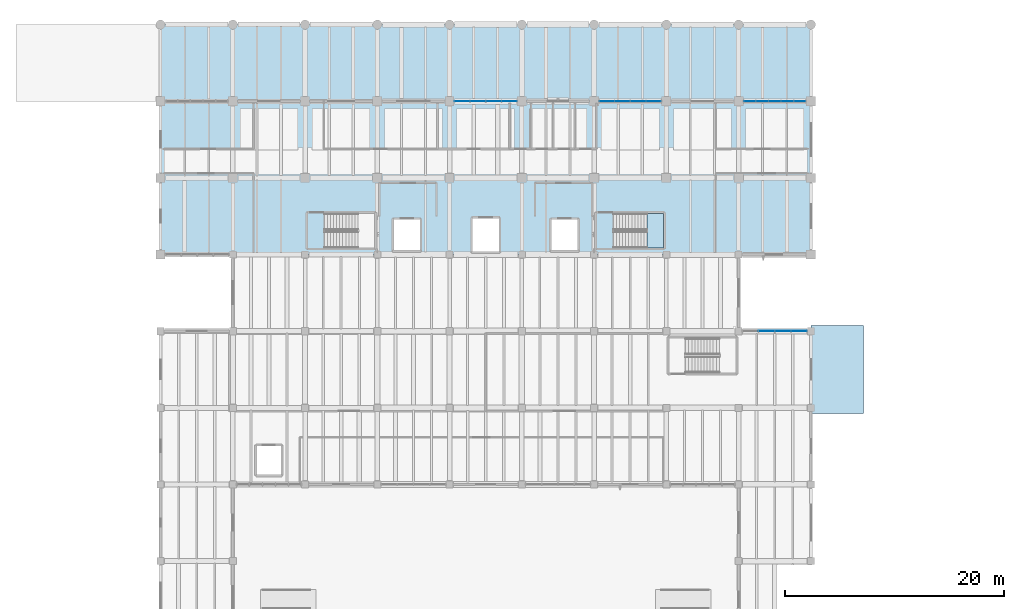
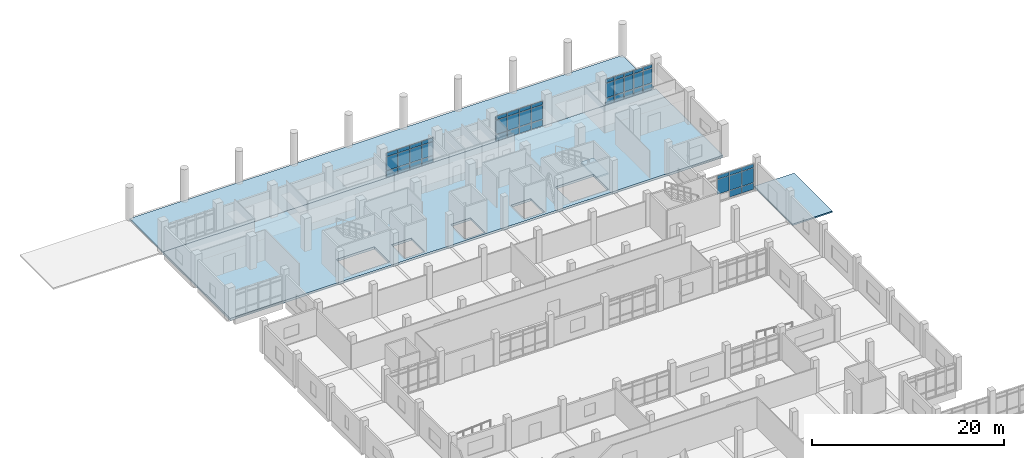
# One storey, part 40 of 69: 47 plates, 4 slabs, 5 elements without a shape of their own.
"""IFC4 building model written with IfcOpenShell, lengths in metres."""

from ifc_helpers import new_model, si_unit, direction, frame, origin, origin_2d, place, context, subcontext, project, spatial, polyline, rectangle, outline, extrude, material, layer, layer_set, type_object, element, aggregate, save


model = new_model("IFC4")

# Units and contexts
model_context = context("Model", 3, precision=1e-05, world=origin(), true_north=direction((0.0, 1.0)))
body_context = subcontext(model_context, "Body", "Model", "MODEL_VIEW")
ifc_project = project(units=[si_unit("LENGTHUNIT", "METRE"), si_unit("AREAUNIT", "SQUARE_METRE"), si_unit("VOLUMEUNIT", "CUBIC_METRE"), si_unit("PLANEANGLEUNIT", "RADIAN"), si_unit("MASSUNIT", "GRAM", prefix="KILO")], contexts=[model_context])

# Site, building, storey
site_placement = place(None, origin())
site = spatial("IfcSite", under=ifc_project, at=site_placement, CompositionType="ELEMENT")
building_placement = place(site_placement, origin())
building = spatial("IfcBuilding", under=site, at=building_placement, Name="Ciguamira Faculty of Natural Sciences", CompositionType="ELEMENT")
storey_placement = place(building_placement, origin())
storey = spatial("IfcBuildingStorey", under=building, at=storey_placement, Name="L00", CompositionType="ELEMENT", Elevation=0.0)

# Curtain wall, plates
ifc_material_1 = material(Name="Anodized aluminium curtain wall", Category="aluminium")
curtain_wall_type_1 = type_object("IfcCurtainWallType", Name="CurtainWall_CW-07", PredefinedType="USERDEFINED", material=ifc_material_1)
curtain_wall_1_placement = place(storey_placement, origin())
curtain_wall_1 = element("IfcCurtainWall", 1, at=curtain_wall_1_placement, inside=storey, type_object=curtain_wall_type_1, Name="L00 unitised curtain wall 0019", ObjectType="UNITISED CURTAIN WALL", PredefinedType="USERDEFINED")
ifc_material_2 = material(Name="Low-E laminated solar glass", Category="glass")
ifc_layer_1 = layer(ifc_material_2, 0.028076171875, Name="Low-E laminated solar glass")
ifc_layer_set_1 = layer_set([ifc_layer_1], Name="Low-E laminated solar glass")
plate_type_1 = type_object("IfcPlateType", Name="CWPanel_CWP-01", PredefinedType="CURTAIN_PANEL", material=ifc_layer_set_1)
plate_1_placement = place(storey_placement, frame((84.858642578125, 108.0, 0.06005859375), z_axis=(0.0, 0.0, 1.0), x_axis=(1.0, 0.0, 0.0)))
plate_1 = element("IfcPlate", 2, at=plate_1_placement, type_object=plate_type_1, Name="CW-07 panel 1.1", PredefinedType="CURTAIN_PANEL", context=body_context, shape_type="SweptSolid", body=[
    extrude(rectangle(XDim=1.347412109375, YDim=0.028076171875, at=origin_2d()), origin(), (0.0, 0.0, 1.0), 0.81005859375),
])
plate_2_placement = place(storey_placement, frame((84.858642578125, 108.0, 0.929931640625), z_axis=(0.0, 0.0, 1.0), x_axis=(1.0, 0.0, 0.0)))
plate_2 = element("IfcPlate", 3, at=plate_2_placement, type_object=plate_type_1, Name="CW-07 panel 1.2", PredefinedType="CURTAIN_PANEL", context=body_context, shape_type="SweptSolid", body=[
    extrude(rectangle(XDim=1.347412109375, YDim=0.028076171875, at=origin_2d()), origin(), (0.0, 0.0, 1.0), 1.72509765625),
])
plate_3_placement = place(storey_placement, frame((84.858642578125, 108.0, 2.715087890625), z_axis=(0.0, 0.0, 1.0), x_axis=(1.0, 0.0, 0.0)))
plate_3 = element("IfcPlate", 4, at=plate_3_placement, type_object=plate_type_1, Name="CW-07 panel 1.3", PredefinedType="CURTAIN_PANEL", context=body_context, shape_type="SweptSolid", body=[
    extrude(rectangle(XDim=1.347412109375, YDim=0.028076171875, at=origin_2d()), origin(), (0.0, 0.0, 1.0), 0.4599609375),
])
plate_4_placement = place(storey_placement, frame((86.28125, 108.0, 0.06005859375), z_axis=(0.0, 0.0, 1.0), x_axis=(1.0, 0.0, 0.0)))
plate_4 = element("IfcPlate", 5, at=plate_4_placement, type_object=plate_type_1, Name="CW-07 panel 2.1", PredefinedType="CURTAIN_PANEL", context=body_context, shape_type="SweptSolid", body=[
    extrude(rectangle(XDim=1.37744140625, YDim=0.028076171875, at=origin_2d()), origin(), (0.0, 0.0, 1.0), 0.81005859375),
])
plate_5_placement = place(storey_placement, frame((86.28125, 108.0, 0.929931640625), z_axis=(0.0, 0.0, 1.0), x_axis=(1.0, 0.0, 0.0)))
plate_5 = element("IfcPlate", 6, at=plate_5_placement, type_object=plate_type_1, Name="CW-07 panel 2.2", PredefinedType="CURTAIN_PANEL", context=body_context, shape_type="SweptSolid", body=[
    extrude(rectangle(XDim=1.37744140625, YDim=0.028076171875, at=origin_2d()), origin(), (0.0, 0.0, 1.0), 1.72509765625),
])
plate_6_placement = place(storey_placement, frame((86.28125, 108.0, 2.715087890625), z_axis=(0.0, 0.0, 1.0), x_axis=(1.0, 0.0, 0.0)))
plate_6 = element("IfcPlate", 7, at=plate_6_placement, type_object=plate_type_1, Name="CW-07 panel 2.3", PredefinedType="CURTAIN_PANEL", context=body_context, shape_type="SweptSolid", body=[
    extrude(rectangle(XDim=1.37744140625, YDim=0.028076171875, at=origin_2d()), origin(), (0.0, 0.0, 1.0), 0.4599609375),
])
plate_7_placement = place(storey_placement, frame((87.71875, 108.0, 0.06005859375), z_axis=(0.0, 0.0, 1.0), x_axis=(1.0, 0.0, 0.0)))
plate_7 = element("IfcPlate", 8, at=plate_7_placement, type_object=plate_type_1, Name="CW-07 panel 3.1", PredefinedType="CURTAIN_PANEL", context=body_context, shape_type="SweptSolid", body=[
    extrude(rectangle(XDim=1.37744140625, YDim=0.028076171875, at=origin_2d()), origin(), (0.0, 0.0, 1.0), 0.81005859375),
])
plate_8_placement = place(storey_placement, frame((87.71875, 108.0, 0.929931640625), z_axis=(0.0, 0.0, 1.0), x_axis=(1.0, 0.0, 0.0)))
plate_8 = element("IfcPlate", 9, at=plate_8_placement, type_object=plate_type_1, Name="CW-07 panel 3.2", PredefinedType="CURTAIN_PANEL", context=body_context, shape_type="SweptSolid", body=[
    extrude(rectangle(XDim=1.37744140625, YDim=0.028076171875, at=origin_2d()), origin(), (0.0, 0.0, 1.0), 1.72509765625),
])
plate_9_placement = place(storey_placement, frame((87.71875, 108.0, 2.715087890625), z_axis=(0.0, 0.0, 1.0), x_axis=(1.0, 0.0, 0.0)))
plate_9 = element("IfcPlate", 10, at=plate_9_placement, type_object=plate_type_1, Name="CW-07 panel 3.3", PredefinedType="CURTAIN_PANEL", context=body_context, shape_type="SweptSolid", body=[
    extrude(rectangle(XDim=1.37744140625, YDim=0.028076171875, at=origin_2d()), origin(), (0.0, 0.0, 1.0), 0.4599609375),
])
plate_10_placement = place(storey_placement, frame((89.141357421875, 108.0, 0.06005859375), z_axis=(0.0, 0.0, 1.0), x_axis=(1.0, 0.0, 0.0)))
plate_10 = element("IfcPlate", 11, at=plate_10_placement, type_object=plate_type_1, Name="CW-07 panel 4.1", PredefinedType="CURTAIN_PANEL", context=body_context, shape_type="SweptSolid", body=[
    extrude(rectangle(XDim=1.347412109375, YDim=0.028076171875, at=origin_2d()), origin(), (0.0, 0.0, 1.0), 0.81005859375),
])
plate_11_placement = place(storey_placement, frame((89.141357421875, 108.0, 0.929931640625), z_axis=(0.0, 0.0, 1.0), x_axis=(1.0, 0.0, 0.0)))
plate_11 = element("IfcPlate", 12, at=plate_11_placement, type_object=plate_type_1, Name="CW-07 panel 4.2", PredefinedType="CURTAIN_PANEL", context=body_context, shape_type="SweptSolid", body=[
    extrude(rectangle(XDim=1.347412109375, YDim=0.028076171875, at=origin_2d()), origin(), (0.0, 0.0, 1.0), 1.72509765625),
])
plate_12_placement = place(storey_placement, frame((89.141357421875, 108.0, 2.715087890625), z_axis=(0.0, 0.0, 1.0), x_axis=(1.0, 0.0, 0.0)))
plate_12 = element("IfcPlate", 13, at=plate_12_placement, type_object=plate_type_1, Name="CW-07 panel 4.3", PredefinedType="CURTAIN_PANEL", context=body_context, shape_type="SweptSolid", body=[
    extrude(rectangle(XDim=1.347412109375, YDim=0.028076171875, at=origin_2d()), origin(), (0.0, 0.0, 1.0), 0.4599609375),
])
aggregate(curtain_wall_1, [plate_1, plate_2, plate_3, plate_4, plate_5, plate_6, plate_7, plate_8, plate_9, plate_10, plate_11, plate_12])

curtain_wall_type_2 = type_object("IfcCurtainWallType", Name="CurtainWall_CW-09", PredefinedType="USERDEFINED", material=ifc_material_1)
curtain_wall_2_placement = place(storey_placement, origin())
curtain_wall_2 = element("IfcCurtainWall", 14, at=curtain_wall_2_placement, inside=storey, type_object=curtain_wall_type_2, Name="L00 unitised curtain wall 0021", ObjectType="UNITISED CURTAIN WALL", PredefinedType="USERDEFINED")
plate_13_placement = place(storey_placement, frame((111.1201171875, 108.0, 0.080078125), z_axis=(0.0, 0.0, 1.0), x_axis=(1.0, 0.0, 0.0)))
plate_13 = element("IfcPlate", 15, at=plate_13_placement, type_object=plate_type_1, Name="CW-09 panel 1.1", PredefinedType="CURTAIN_PANEL", context=body_context, shape_type="SweptSolid", body=[
    extrude(rectangle(XDim=1.030029296875, YDim=0.028076171875, at=origin_2d()), origin(), (0.0, 0.0, 1.0), 0.780029296875),
])
plate_14_placement = place(storey_placement, frame((111.1201171875, 108.0, 0.93994140625), z_axis=(0.0, 0.0, 1.0), x_axis=(1.0, 0.0, 0.0)))
plate_14 = element("IfcPlate", 16, at=plate_14_placement, type_object=plate_type_1, Name="CW-09 panel 1.2", PredefinedType="CURTAIN_PANEL", context=body_context, shape_type="SweptSolid", body=[
    extrude(rectangle(XDim=1.030029296875, YDim=0.028076171875, at=origin_2d()), origin(), (0.0, 0.0, 1.0), 1.8349609375),
])
plate_15_placement = place(storey_placement, frame((111.1201171875, 108.0, 2.85498046875), z_axis=(0.0, 0.0, 1.0), x_axis=(1.0, 0.0, 0.0)))
plate_15 = element("IfcPlate", 17, at=plate_15_placement, type_object=plate_type_1, Name="CW-09 panel 1.3", PredefinedType="CURTAIN_PANEL", context=body_context, shape_type="SweptSolid", body=[
    extrude(rectangle(XDim=1.030029296875, YDim=0.028076171875, at=origin_2d()), origin(), (0.0, 0.0, 1.0), 0.429931640625),
])
plate_16_placement = place(storey_placement, frame((112.25, 108.0, 0.080078125), z_axis=(0.0, 0.0, 1.0), x_axis=(1.0, 0.0, 0.0)))
plate_16 = element("IfcPlate", 18, at=plate_16_placement, type_object=plate_type_1, Name="CW-09 panel 2.1", PredefinedType="CURTAIN_PANEL", context=body_context, shape_type="SweptSolid", body=[
    extrude(rectangle(XDim=1.070068359375, YDim=0.028076171875, at=origin_2d()), origin(), (0.0, 0.0, 1.0), 0.780029296875),
])
plate_17_placement = place(storey_placement, frame((112.25, 108.0, 0.93994140625), z_axis=(0.0, 0.0, 1.0), x_axis=(1.0, 0.0, 0.0)))
plate_17 = element("IfcPlate", 19, at=plate_17_placement, type_object=plate_type_1, Name="CW-09 panel 2.2", PredefinedType="CURTAIN_PANEL", context=body_context, shape_type="SweptSolid", body=[
    extrude(rectangle(XDim=1.070068359375, YDim=0.028076171875, at=origin_2d()), origin(), (0.0, 0.0, 1.0), 1.8349609375),
])
plate_18_placement = place(storey_placement, frame((112.25, 108.0, 2.85498046875), z_axis=(0.0, 0.0, 1.0), x_axis=(1.0, 0.0, 0.0)))
plate_18 = element("IfcPlate", 20, at=plate_18_placement, type_object=plate_type_1, Name="CW-09 panel 2.3", PredefinedType="CURTAIN_PANEL", context=body_context, shape_type="SweptSolid", body=[
    extrude(rectangle(XDim=1.070068359375, YDim=0.028076171875, at=origin_2d()), origin(), (0.0, 0.0, 1.0), 0.429931640625),
])
plate_19_placement = place(storey_placement, frame((113.39990234375, 108.0, 0.080078125), z_axis=(0.0, 0.0, 1.0), x_axis=(1.0, 0.0, 0.0)))
plate_19 = element("IfcPlate", 21, at=plate_19_placement, type_object=plate_type_1, Name="CW-09 panel 3.1", PredefinedType="CURTAIN_PANEL", context=body_context, shape_type="SweptSolid", body=[
    extrude(rectangle(XDim=1.070068359375, YDim=0.028076171875, at=origin_2d()), origin(), (0.0, 0.0, 1.0), 0.780029296875),
])
plate_20_placement = place(storey_placement, frame((113.39990234375, 108.0, 0.93994140625), z_axis=(0.0, 0.0, 1.0), x_axis=(1.0, 0.0, 0.0)))
plate_20 = element("IfcPlate", 22, at=plate_20_placement, type_object=plate_type_1, Name="CW-09 panel 3.2", PredefinedType="CURTAIN_PANEL", context=body_context, shape_type="SweptSolid", body=[
    extrude(rectangle(XDim=1.070068359375, YDim=0.028076171875, at=origin_2d()), origin(), (0.0, 0.0, 1.0), 1.8349609375),
])
plate_21_placement = place(storey_placement, frame((113.39990234375, 108.0, 2.85498046875), z_axis=(0.0, 0.0, 1.0), x_axis=(1.0, 0.0, 0.0)))
plate_21 = element("IfcPlate", 23, at=plate_21_placement, type_object=plate_type_1, Name="CW-09 panel 3.3", PredefinedType="CURTAIN_PANEL", context=body_context, shape_type="SweptSolid", body=[
    extrude(rectangle(XDim=1.070068359375, YDim=0.028076171875, at=origin_2d()), origin(), (0.0, 0.0, 1.0), 0.429931640625),
])
plate_22_placement = place(storey_placement, frame((114.550048828125, 108.0, 0.080078125), z_axis=(0.0, 0.0, 1.0), x_axis=(1.0, 0.0, 0.0)))
plate_22 = element("IfcPlate", 24, at=plate_22_placement, type_object=plate_type_1, Name="CW-09 panel 4.1", PredefinedType="CURTAIN_PANEL", context=body_context, shape_type="SweptSolid", body=[
    extrude(rectangle(XDim=1.070068359375, YDim=0.028076171875, at=origin_2d()), origin(), (0.0, 0.0, 1.0), 0.780029296875),
])
plate_23_placement = place(storey_placement, frame((114.550048828125, 108.0, 0.93994140625), z_axis=(0.0, 0.0, 1.0), x_axis=(1.0, 0.0, 0.0)))
plate_23 = element("IfcPlate", 25, at=plate_23_placement, type_object=plate_type_1, Name="CW-09 panel 4.2", PredefinedType="CURTAIN_PANEL", context=body_context, shape_type="SweptSolid", body=[
    extrude(rectangle(XDim=1.070068359375, YDim=0.028076171875, at=origin_2d()), origin(), (0.0, 0.0, 1.0), 1.8349609375),
])
plate_24_placement = place(storey_placement, frame((114.550048828125, 108.0, 2.85498046875), z_axis=(0.0, 0.0, 1.0), x_axis=(1.0, 0.0, 0.0)))
plate_24 = element("IfcPlate", 26, at=plate_24_placement, type_object=plate_type_1, Name="CW-09 panel 4.3", PredefinedType="CURTAIN_PANEL", context=body_context, shape_type="SweptSolid", body=[
    extrude(rectangle(XDim=1.070068359375, YDim=0.028076171875, at=origin_2d()), origin(), (0.0, 0.0, 1.0), 0.429931640625),
])
plate_25_placement = place(storey_placement, frame((115.679931640625, 108.0, 0.080078125), z_axis=(0.0, 0.0, 1.0), x_axis=(1.0, 0.0, 0.0)))
plate_25 = element("IfcPlate", 27, at=plate_25_placement, type_object=plate_type_1, Name="CW-09 panel 5.1", PredefinedType="CURTAIN_PANEL", context=body_context, shape_type="SweptSolid", body=[
    extrude(rectangle(XDim=1.030029296875, YDim=0.028076171875, at=origin_2d()), origin(), (0.0, 0.0, 1.0), 0.780029296875),
])
plate_26_placement = place(storey_placement, frame((115.679931640625, 108.0, 0.93994140625), z_axis=(0.0, 0.0, 1.0), x_axis=(1.0, 0.0, 0.0)))
plate_26 = element("IfcPlate", 28, at=plate_26_placement, type_object=plate_type_1, Name="CW-09 panel 5.2", PredefinedType="CURTAIN_PANEL", context=body_context, shape_type="SweptSolid", body=[
    extrude(rectangle(XDim=1.030029296875, YDim=0.028076171875, at=origin_2d()), origin(), (0.0, 0.0, 1.0), 1.8349609375),
])
plate_27_placement = place(storey_placement, frame((115.679931640625, 108.0, 2.85498046875), z_axis=(0.0, 0.0, 1.0), x_axis=(1.0, 0.0, 0.0)))
plate_27 = element("IfcPlate", 29, at=plate_27_placement, type_object=plate_type_1, Name="CW-09 panel 5.3", PredefinedType="CURTAIN_PANEL", context=body_context, shape_type="SweptSolid", body=[
    extrude(rectangle(XDim=1.030029296875, YDim=0.028076171875, at=origin_2d()), origin(), (0.0, 0.0, 1.0), 0.429931640625),
])
aggregate(curtain_wall_2, [plate_13, plate_14, plate_15, plate_16, plate_17, plate_18, plate_19, plate_20, plate_21, plate_22, plate_23, plate_24, plate_25, plate_26, plate_27])

curtain_wall_type_3 = type_object("IfcCurtainWallType", Name="CurtainWall_CW-04", PredefinedType="USERDEFINED", material=ifc_material_1)
curtain_wall_3_placement = place(storey_placement, origin())
curtain_wall_3 = element("IfcCurtainWall", 30, at=curtain_wall_3_placement, inside=storey, type_object=curtain_wall_type_3, Name="L00 unitised curtain wall 0016", ObjectType="UNITISED CURTAIN WALL", PredefinedType="USERDEFINED")
ifc_layer_2 = layer(ifc_material_2, 0.035888671875, Name="Low-E laminated solar glass")
ifc_layer_set_2 = layer_set([ifc_layer_2], Name="Low-E laminated solar glass")
plate_type_2 = type_object("IfcPlateType", Name="CWPanel_CWP-02", PredefinedType="CURTAIN_PANEL", material=ifc_layer_set_2)
plate_28_placement = place(storey_placement, frame((112.65625, 87.0, 0.929931640625), z_axis=(0.0, 0.0, 1.0), x_axis=(1.0, 0.0, 0.0)))
plate_28 = element("IfcPlate", 31, at=plate_28_placement, type_object=plate_type_2, Name="CW-04 panel 2.2", PredefinedType="CURTAIN_PANEL", context=body_context, shape_type="SweptSolid", body=[
    extrude(rectangle(XDim=1.427490234375, YDim=0.035888671875, at=origin_2d()), origin(), (0.0, 0.0, 1.0), 1.85498046875),
])
plate_29_placement = place(storey_placement, frame((112.65625, 87.0, 2.844970703125), z_axis=(0.0, 0.0, 1.0), x_axis=(1.0, 0.0, 0.0)))
plate_29 = element("IfcPlate", 32, at=plate_29_placement, type_object=plate_type_2, Name="CW-04 panel 2.3", PredefinedType="CURTAIN_PANEL", context=body_context, shape_type="SweptSolid", body=[
    extrude(rectangle(XDim=1.427490234375, YDim=0.035888671875, at=origin_2d()), origin(), (0.0, 0.0, 1.0), 0.4599609375),
])
plate_30_placement = place(storey_placement, frame((114.143798828125, 87.0, 0.06005859375), z_axis=(0.0, 0.0, 1.0), x_axis=(1.0, 0.0, 0.0)))
plate_30 = element("IfcPlate", 33, at=plate_30_placement, type_object=plate_type_2, Name="CW-04 panel 3.1", PredefinedType="CURTAIN_PANEL", context=body_context, shape_type="SweptSolid", body=[
    extrude(rectangle(XDim=1.427490234375, YDim=0.035888671875, at=origin_2d()), origin(), (0.0, 0.0, 1.0), 0.81005859375),
])
plate_31_placement = place(storey_placement, frame((114.143798828125, 87.0, 0.929931640625), z_axis=(0.0, 0.0, 1.0), x_axis=(1.0, 0.0, 0.0)))
plate_31 = element("IfcPlate", 34, at=plate_31_placement, type_object=plate_type_2, Name="CW-04 panel 3.2", PredefinedType="CURTAIN_PANEL", context=body_context, shape_type="SweptSolid", body=[
    extrude(rectangle(XDim=1.427490234375, YDim=0.035888671875, at=origin_2d()), origin(), (0.0, 0.0, 1.0), 1.85498046875),
])
plate_32_placement = place(storey_placement, frame((114.143798828125, 87.0, 2.844970703125), z_axis=(0.0, 0.0, 1.0), x_axis=(1.0, 0.0, 0.0)))
plate_32 = element("IfcPlate", 35, at=plate_32_placement, type_object=plate_type_2, Name="CW-04 panel 3.3", PredefinedType="CURTAIN_PANEL", context=body_context, shape_type="SweptSolid", body=[
    extrude(rectangle(XDim=1.427490234375, YDim=0.035888671875, at=origin_2d()), origin(), (0.0, 0.0, 1.0), 0.4599609375),
])
plate_33_placement = place(storey_placement, frame((115.6162109375, 87.0, 0.06005859375), z_axis=(0.0, 0.0, 1.0), x_axis=(1.0, 0.0, 0.0)))
plate_33 = element("IfcPlate", 36, at=plate_33_placement, type_object=plate_type_2, Name="CW-04 panel 4.1", PredefinedType="CURTAIN_PANEL", context=body_context, shape_type="SweptSolid", body=[
    extrude(rectangle(XDim=1.3974609375, YDim=0.035888671875, at=origin_2d()), origin(), (0.0, 0.0, 1.0), 0.81005859375),
])
plate_34_placement = place(storey_placement, frame((115.6162109375, 87.0, 0.929931640625), z_axis=(0.0, 0.0, 1.0), x_axis=(1.0, 0.0, 0.0)))
plate_34 = element("IfcPlate", 37, at=plate_34_placement, type_object=plate_type_2, Name="CW-04 panel 4.2", PredefinedType="CURTAIN_PANEL", context=body_context, shape_type="SweptSolid", body=[
    extrude(rectangle(XDim=1.3974609375, YDim=0.035888671875, at=origin_2d()), origin(), (0.0, 0.0, 1.0), 1.85498046875),
])
plate_35_placement = place(storey_placement, frame((115.6162109375, 87.0, 2.844970703125), z_axis=(0.0, 0.0, 1.0), x_axis=(1.0, 0.0, 0.0)))
plate_35 = element("IfcPlate", 38, at=plate_35_placement, type_object=plate_type_2, Name="CW-04 panel 4.3", PredefinedType="CURTAIN_PANEL", context=body_context, shape_type="SweptSolid", body=[
    extrude(rectangle(XDim=1.3974609375, YDim=0.035888671875, at=origin_2d()), origin(), (0.0, 0.0, 1.0), 0.4599609375),
])
aggregate(curtain_wall_3, [plate_28, plate_29, plate_30, plate_31, plate_32, plate_33, plate_34, plate_35])

curtain_wall_type_4 = type_object("IfcCurtainWallType", Name="CurtainWall_CW-08", PredefinedType="USERDEFINED", material=ifc_material_1)
curtain_wall_4_placement = place(storey_placement, origin())
curtain_wall_4 = element("IfcCurtainWall", 39, at=curtain_wall_4_placement, inside=storey, type_object=curtain_wall_type_4, Name="L00 unitised curtain wall 0020", ObjectType="UNITISED CURTAIN WALL", PredefinedType="USERDEFINED")
plate_36_placement = place(storey_placement, frame((98.061279296875, 108.0, 0.070068359375), z_axis=(0.0, 0.0, 1.0), x_axis=(1.0, 0.0, 0.0)))
plate_36 = element("IfcPlate", 40, at=plate_36_placement, type_object=plate_type_2, Name="CW-08 panel 1.1", PredefinedType="CURTAIN_PANEL", context=body_context, shape_type="SweptSolid", body=[
    extrude(rectangle(XDim=1.33251953125, YDim=0.035888671875, at=origin_2d()), origin(), (0.0, 0.0, 1.0), 0.794921875),
])
plate_37_placement = place(storey_placement, frame((98.061279296875, 108.0, 0.93505859375), z_axis=(0.0, 0.0, 1.0), x_axis=(1.0, 0.0, 0.0)))
plate_37 = element("IfcPlate", 41, at=plate_37_placement, type_object=plate_type_2, Name="CW-08 panel 1.2", PredefinedType="CURTAIN_PANEL", context=body_context, shape_type="SweptSolid", body=[
    extrude(rectangle(XDim=1.33251953125, YDim=0.035888671875, at=origin_2d()), origin(), (0.0, 0.0, 1.0), 1.764892578125),
])
plate_38_placement = place(storey_placement, frame((98.061279296875, 108.0, 2.77001953125), z_axis=(0.0, 0.0, 1.0), x_axis=(1.0, 0.0, 0.0)))
plate_38 = element("IfcPlate", 42, at=plate_38_placement, type_object=plate_type_2, Name="CW-08 panel 1.3", PredefinedType="CURTAIN_PANEL", context=body_context, shape_type="SweptSolid", body=[
    extrude(rectangle(XDim=1.33251953125, YDim=0.035888671875, at=origin_2d()), origin(), (0.0, 0.0, 1.0), 0.445068359375),
])
plate_39_placement = place(storey_placement, frame((99.481201171875, 108.0, 0.070068359375), z_axis=(0.0, 0.0, 1.0), x_axis=(1.0, 0.0, 0.0)))
plate_39 = element("IfcPlate", 43, at=plate_39_placement, type_object=plate_type_2, Name="CW-08 panel 2.1", PredefinedType="CURTAIN_PANEL", context=body_context, shape_type="SweptSolid", body=[
    extrude(rectangle(XDim=1.367431640625, YDim=0.035888671875, at=origin_2d()), origin(), (0.0, 0.0, 1.0), 0.794921875),
])
plate_40_placement = place(storey_placement, frame((99.481201171875, 108.0, 0.93505859375), z_axis=(0.0, 0.0, 1.0), x_axis=(1.0, 0.0, 0.0)))
plate_40 = element("IfcPlate", 44, at=plate_40_placement, type_object=plate_type_2, Name="CW-08 panel 2.2", PredefinedType="CURTAIN_PANEL", context=body_context, shape_type="SweptSolid", body=[
    extrude(rectangle(XDim=1.367431640625, YDim=0.035888671875, at=origin_2d()), origin(), (0.0, 0.0, 1.0), 1.764892578125),
])
plate_41_placement = place(storey_placement, frame((99.481201171875, 108.0, 2.77001953125), z_axis=(0.0, 0.0, 1.0), x_axis=(1.0, 0.0, 0.0)))
plate_41 = element("IfcPlate", 45, at=plate_41_placement, type_object=plate_type_2, Name="CW-08 panel 2.3", PredefinedType="CURTAIN_PANEL", context=body_context, shape_type="SweptSolid", body=[
    extrude(rectangle(XDim=1.367431640625, YDim=0.035888671875, at=origin_2d()), origin(), (0.0, 0.0, 1.0), 0.445068359375),
])
plate_42_placement = place(storey_placement, frame((100.918701171875, 108.0, 0.070068359375), z_axis=(0.0, 0.0, 1.0), x_axis=(1.0, 0.0, 0.0)))
plate_42 = element("IfcPlate", 46, at=plate_42_placement, type_object=plate_type_2, Name="CW-08 panel 3.1", PredefinedType="CURTAIN_PANEL", context=body_context, shape_type="SweptSolid", body=[
    extrude(rectangle(XDim=1.367431640625, YDim=0.035888671875, at=origin_2d()), origin(), (0.0, 0.0, 1.0), 0.794921875),
])
plate_43_placement = place(storey_placement, frame((100.918701171875, 108.0, 0.93505859375), z_axis=(0.0, 0.0, 1.0), x_axis=(1.0, 0.0, 0.0)))
plate_43 = element("IfcPlate", 47, at=plate_43_placement, type_object=plate_type_2, Name="CW-08 panel 3.2", PredefinedType="CURTAIN_PANEL", context=body_context, shape_type="SweptSolid", body=[
    extrude(rectangle(XDim=1.367431640625, YDim=0.035888671875, at=origin_2d()), origin(), (0.0, 0.0, 1.0), 1.764892578125),
])
plate_44_placement = place(storey_placement, frame((100.918701171875, 108.0, 2.77001953125), z_axis=(0.0, 0.0, 1.0), x_axis=(1.0, 0.0, 0.0)))
plate_44 = element("IfcPlate", 48, at=plate_44_placement, type_object=plate_type_2, Name="CW-08 panel 3.3", PredefinedType="CURTAIN_PANEL", context=body_context, shape_type="SweptSolid", body=[
    extrude(rectangle(XDim=1.367431640625, YDim=0.035888671875, at=origin_2d()), origin(), (0.0, 0.0, 1.0), 0.445068359375),
])
plate_45_placement = place(storey_placement, frame((102.3388671875, 108.0, 0.070068359375), z_axis=(0.0, 0.0, 1.0), x_axis=(1.0, 0.0, 0.0)))
plate_45 = element("IfcPlate", 49, at=plate_45_placement, type_object=plate_type_2, Name="CW-08 panel 4.1", PredefinedType="CURTAIN_PANEL", context=body_context, shape_type="SweptSolid", body=[
    extrude(rectangle(XDim=1.33251953125, YDim=0.035888671875, at=origin_2d()), origin(), (0.0, 0.0, 1.0), 0.794921875),
])
plate_46_placement = place(storey_placement, frame((102.3388671875, 108.0, 0.93505859375), z_axis=(0.0, 0.0, 1.0), x_axis=(1.0, 0.0, 0.0)))
plate_46 = element("IfcPlate", 50, at=plate_46_placement, type_object=plate_type_2, Name="CW-08 panel 4.2", PredefinedType="CURTAIN_PANEL", context=body_context, shape_type="SweptSolid", body=[
    extrude(rectangle(XDim=1.33251953125, YDim=0.035888671875, at=origin_2d()), origin(), (0.0, 0.0, 1.0), 1.764892578125),
])
plate_47_placement = place(storey_placement, frame((102.3388671875, 108.0, 2.77001953125), z_axis=(0.0, 0.0, 1.0), x_axis=(1.0, 0.0, 0.0)))
plate_47 = element("IfcPlate", 51, at=plate_47_placement, type_object=plate_type_2, Name="CW-08 panel 4.3", PredefinedType="CURTAIN_PANEL", context=body_context, shape_type="SweptSolid", body=[
    extrude(rectangle(XDim=1.33251953125, YDim=0.035888671875, at=origin_2d()), origin(), (0.0, 0.0, 1.0), 0.445068359375),
])
aggregate(curtain_wall_4, [plate_36, plate_37, plate_38, plate_39, plate_40, plate_41, plate_42, plate_43, plate_44, plate_45, plate_46, plate_47])

# Slabs
ifc_material_3 = material(Name="Precast concrete C35/45", Category="concrete")
ifc_layer_3 = layer(ifc_material_3, 0.179931640625, Name="Precast concrete C35/45")
ifc_layer_set_3 = layer_set([ifc_layer_3], Name="Precast concrete C35/45")
slab_type_1 = type_object("IfcSlabType", Name="PavingSlab_PV01", PredefinedType="BASESLAB", material=ifc_layer_set_3)
slab_1_placement = place(storey_placement, frame((0.0, 0.0, -0.179931640625)))
element("IfcSlab", 52, at=slab_1_placement, inside=storey, type_object=slab_type_1, Name="Northeast Laboratory Exit Apron", PredefinedType="BASESLAB", context=body_context, shape_type="SweptSolid", body=[
    extrude(outline(polyline([(116.699951171875, 79.5), (121.5, 79.5), (121.5, 87.5), (116.699951171875, 87.5), (116.699951171875, 79.5)])), origin(), (0.0, 0.0, 1.0), 0.179931640625),
])
ifc_material_4 = material(Name="Concrete C40/50", Category="concrete")
ifc_layer_4 = layer(ifc_material_4, 0.300048828125, Name="Concrete C40/50")
ifc_layer_set_4 = layer_set([ifc_layer_4], Name="Concrete C40/50")
slab_type_2 = type_object("IfcSlabType", Name="Slab_SF-02_300", PredefinedType="FLOOR", material=ifc_layer_set_4)
slab_2_placement = place(storey_placement, frame((0.0, 0.0, -0.300048828125)))
element("IfcSlab", 53, at=slab_2_placement, inside=storey, type_object=slab_type_2, Name="L00 V5 structural slab", PredefinedType="FLOOR", context=body_context, shape_type="SweptSolid", body=[
    extrude(outline(polyline([(57.300048828125, 94.0), (116.699951171875, 94.0), (116.699951171875, 108.0), (57.300048828125, 108.0), (57.300048828125, 94.0)]), holes=[polyline([(72.260009765625, 94.60009765625), (76.85009765625, 94.60009765625), (76.85009765625, 97.760009765625), (72.260009765625, 97.760009765625), (72.260009765625, 94.60009765625)]), polyline([(98.659912109375, 94.60009765625), (103.25, 94.60009765625), (103.25, 97.760009765625), (98.659912109375, 97.760009765625), (98.659912109375, 94.60009765625)]), polyline([(78.60009765625, 94.39990234375), (81.0, 94.39990234375), (81.0, 97.199951171875), (78.60009765625, 97.199951171875), (78.60009765625, 94.39990234375)]), polyline([(93.0, 94.39990234375), (95.39990234375, 94.39990234375), (95.39990234375, 97.199951171875), (93.0, 97.199951171875), (93.0, 94.39990234375)]), polyline([(85.800048828125, 94.300048828125), (88.199951171875, 94.300048828125), (88.199951171875, 97.300048828125), (85.800048828125, 97.300048828125), (85.800048828125, 94.300048828125)])]), origin(), (0.0, 0.0, 1.0), 0.300048828125),
])
ifc_layer_5 = layer(ifc_material_4, 0.199951171875, Name="Concrete C40/50")
ifc_layer_set_5 = layer_set([ifc_layer_5], Name="Concrete C40/50")
slab_type_3 = type_object("IfcSlabType", Name="Slab_ST-01_200", PredefinedType="FLOOR", material=ifc_layer_set_5)
slab_3_placement = place(storey_placement, frame((0.0, 0.0, -0.199951171875)))
element("IfcSlab", 54, at=slab_3_placement, inside=storey, type_object=slab_type_3, Name="L00 North Boulevard Pilotis Arcade", PredefinedType="FLOOR", context=body_context, shape_type="SweptSolid", body=[
    extrude(outline(polyline([(57.300048828125, 108.0), (116.300048828125, 108.0), (116.300048828125, 108.39990234375), (116.699951171875, 108.39990234375), (116.699951171875, 115.0), (57.300048828125, 115.0), (57.300048828125, 108.0)])), origin(), (0.0, 0.0, 1.0), 0.199951171875),
])

# Stair, slab
stair_type = type_object("IfcStairType", Name="Stair_STR-02", PredefinedType="HALF_TURN_STAIR", material=ifc_material_4)
stair_placement = place(storey_placement, origin())
stair = element("IfcStair", 55, at=stair_placement, inside=storey, type_object=stair_type, Name="L00 Tower East Exit Stair", PredefinedType="HALF_TURN_STAIR")
ifc_layer_6 = layer(ifc_material_4, 0.199951171875, Name="Concrete C40/50")
ifc_layer_set_6 = layer_set([ifc_layer_6], Name="Concrete C40/50")
slab_type_4 = type_object("IfcSlabType", Name="StairLanding_SLD01", PredefinedType="LANDING", material=ifc_layer_set_6)
slab_4_placement = place(storey_placement, frame((0.0, 0.0, 1.89990234375)))
slab_4 = element("IfcSlab", 56, at=slab_4_placement, type_object=slab_type_4, Name="ST-T2 landing 1", PredefinedType="LANDING", context=body_context, shape_type="SweptSolid", body=[
    extrude(outline(polyline([(101.739990234375, 94.60009765625), (103.25, 94.60009765625), (103.25, 97.760009765625), (101.739990234375, 97.760009765625), (101.739990234375, 94.60009765625)])), origin(), (0.0, 0.0, 1.0), 0.2001953125),
])
aggregate(stair, [slab_4])

save(model, "model.ifc")
